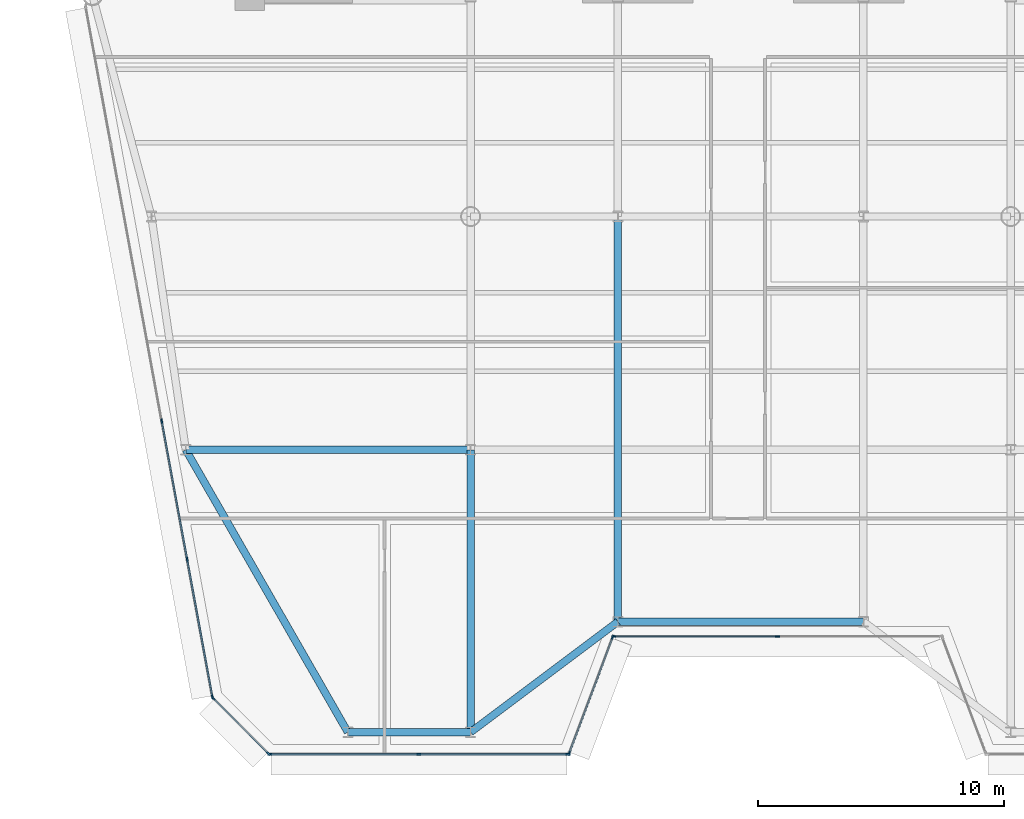
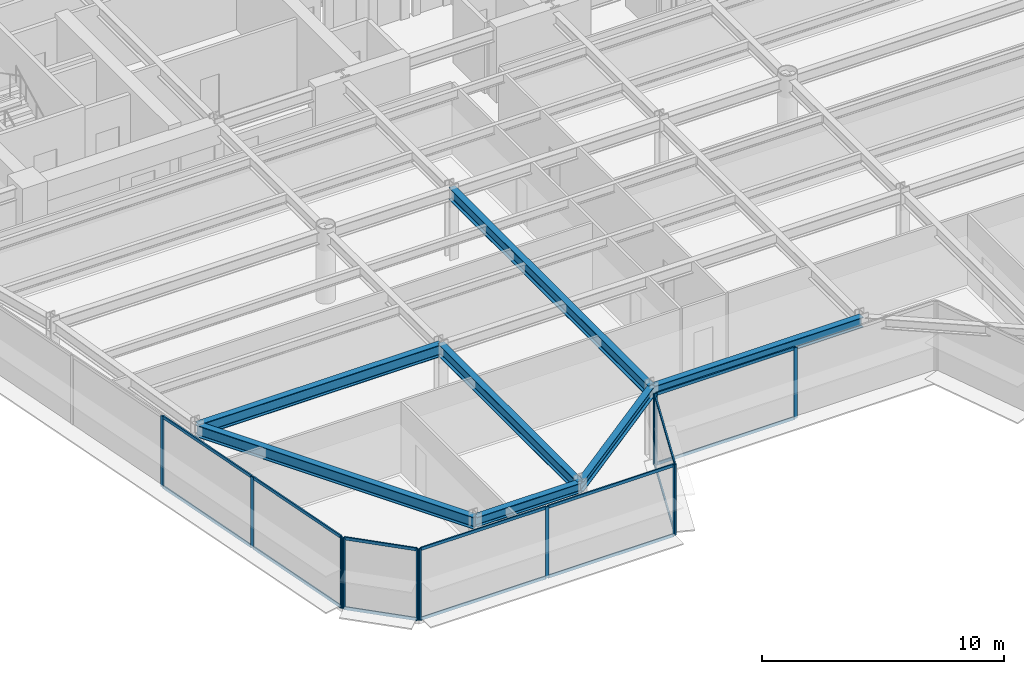
# One storey, part 2 of 16: 26 members, 7 beams, 5 elements without a shape of their own.
"""IFC4 building model written with IfcOpenShell, lengths in metres."""

from ifc_helpers import new_model, si_unit, direction, frame, origin, origin_2d, place, context, subcontext, project, spatial, rectangle, i_section, extrude, source, transform, mapped, material, layer, layer_set, material_profile, profile_set, type_object, element, aggregate, save


model = new_model("IFC4")

# Units and contexts
model_context = context("Model", 3, precision=1e-05, world=origin(), true_north=direction((0.0, 1.0)))
body_context = subcontext(model_context, "Body", "Model", "MODEL_VIEW")
ifc_project = project(units=[si_unit("LENGTHUNIT", "METRE"), si_unit("AREAUNIT", "SQUARE_METRE"), si_unit("VOLUMEUNIT", "CUBIC_METRE"), si_unit("PLANEANGLEUNIT", "RADIAN"), si_unit("MASSUNIT", "GRAM", prefix="KILO")], contexts=[model_context])

# Site, building, storey
site_placement = place(None, origin())
site = spatial("IfcSite", under=ifc_project, at=site_placement, CompositionType="ELEMENT")
building_placement = place(site_placement, origin())
building = spatial("IfcBuilding", under=site, at=building_placement, Name="Vaeldorn Concourse Tower", CompositionType="ELEMENT")
storey_placement = place(building_placement, frame((0.0, 0.0, 191.800048828125)))
storey = spatial("IfcBuildingStorey", under=building, at=storey_placement, Name="L49", CompositionType="ELEMENT", Elevation=191.800048828125)

# Beams
ifc_material_1 = material(Name="Steel S355", Category="steel")
ifc_material_profile_1 = material_profile(ifc_material_1, i_section(OverallWidth=0.300048828125, OverallDepth=0.5, WebThickness=0.014404296875, FlangeThickness=0.028076171875, FilletRadius=0.027099609375, at=origin_2d()), Name="HEB 500")
ifc_profile_set_1 = profile_set([ifc_material_profile_1], Name="Steel S355")
beam_type_1 = type_object("IfcBeamType", Name="BM-SP-HEB500", PredefinedType="SPANDREL", material=ifc_profile_set_1)
shared_shape_1 = source(origin(), body_context, "Body", "SweptSolid", [
    extrude(i_section(OverallWidth=0.300048828125, OverallDepth=0.5, WebThickness=0.014404296875, FlangeThickness=0.028076171875, FilletRadius=0.027099609375, at=origin_2d()), origin(), (0.0, 0.0, 1.0), 5.0),
])
beam_1_placement = place(storey_placement, frame((18.0, 6.5, 3.329833984375), z_axis=(1.0, 0.0, 0.0), x_axis=(0.0, 1.0, 0.0)))
element("IfcBeam", 1, at=beam_1_placement, inside=storey, type_object=beam_type_1, Name="Beam BM-L49-C-SF1-C-SF2", PredefinedType="SPANDREL", context=body_context, shape_type="MappedRepresentation", body=[
    mapped(shared_shape_1, transform((0.0, 0.0, 0.0), scale=1.0)),
])
shared_shape_2 = source(origin(), body_context, "Body", "SweptSolid", [
    extrude(i_section(OverallWidth=0.300048828125, OverallDepth=0.5, WebThickness=0.014404296875, FlangeThickness=0.028076171875, FilletRadius=0.027099609375, at=origin_2d()), origin(), (0.0, 0.0, 1.0), 7.5),
])
beam_2_placement = place(storey_placement, frame((23.0, 6.5, 3.329833984375), z_axis=(0.8, 0.6, 0.0), x_axis=(-0.6, 0.8, 0.0)))
element("IfcBeam", 2, at=beam_2_placement, inside=storey, type_object=beam_type_1, Name="Beam BM-L49-C-SF2-C-SF3", PredefinedType="SPANDREL", context=body_context, shape_type="MappedRepresentation", body=[
    mapped(shared_shape_2, transform((0.0, 0.0, 0.0), scale=1.0)),
])
shared_shape_3 = source(origin(), body_context, "Body", "SweptSolid", [
    extrude(i_section(OverallWidth=0.300048828125, OverallDepth=0.5, WebThickness=0.014404296875, FlangeThickness=0.028076171875, FilletRadius=0.027099609375, at=origin_2d()), origin(), (0.0, 0.0, 1.0), 10.0),
])
beam_3_placement = place(storey_placement, frame((29.0, 11.0, 3.329833984375), z_axis=(1.0, 0.0, 0.0), x_axis=(0.0, 1.0, 0.0)))
element("IfcBeam", 3, at=beam_3_placement, inside=storey, type_object=beam_type_1, Name="Beam BM-L49-C-SF3-C-SF4", PredefinedType="SPANDREL", context=body_context, shape_type="MappedRepresentation", body=[
    mapped(shared_shape_3, transform((0.0, 0.0, 0.0), scale=1.0)),
])
ifc_material_profile_2 = material_profile(ifc_material_1, i_section(OverallWidth=0.300048828125, OverallDepth=0.60009765625, WebThickness=0.015380859375, FlangeThickness=0.030029296875, FilletRadius=0.027099609375, at=origin_2d()), Name="HEB 600")
ifc_profile_set_2 = profile_set([ifc_material_profile_2], Name="Steel S355")
beam_type_2 = type_object("IfcBeamType", Name="BM-PG-HEB600", PredefinedType="BEAM", material=ifc_profile_set_2)
shared_shape_4 = source(origin(), body_context, "Body", "SweptSolid", [
    extrude(i_section(OverallWidth=0.300048828125, OverallDepth=0.60009765625, WebThickness=0.015380859375, FlangeThickness=0.030029296875, FilletRadius=0.027099609375, at=origin_2d()), origin(), (0.0, 0.0, 1.0), 11.60009765625),
])
beam_4_placement = place(storey_placement, frame((11.39990234375, 18.0, 3.280029296875), z_axis=(1.0, 0.0, 0.0), x_axis=(0.0, 1.0, 0.0)))
element("IfcBeam", 4, at=beam_4_placement, inside=storey, type_object=beam_type_2, Name="Beam BM-L49-C-FLW2-C-TW5", PredefinedType="BEAM", context=body_context, shape_type="MappedRepresentation", body=[
    mapped(shared_shape_4, transform((0.0, 0.0, 0.0), scale=1.0)),
])
shared_shape_5 = source(origin(), body_context, "Body", "SweptSolid", [
    extrude(i_section(OverallWidth=0.300048828125, OverallDepth=0.60009765625, WebThickness=0.015380859375, FlangeThickness=0.030029296875, FilletRadius=0.027099609375, at=origin_2d()), origin(), (0.0, 0.0, 1.0), 13.25927734375),
])
beam_5_placement = place(storey_placement, frame((18.0, 6.5, 3.280029296875), z_axis=(-0.497768009943, 0.867310214558, 0.0), x_axis=(-0.867310214558, -0.497768009943, 0.0)))
element("IfcBeam", 5, at=beam_5_placement, inside=storey, type_object=beam_type_2, Name="Beam BM-L49-C-SF1-C-FLW2", PredefinedType="BEAM", context=body_context, shape_type="MappedRepresentation", body=[
    mapped(shared_shape_5, transform((0.0, 0.0, 0.0), scale=1.0)),
])
shared_shape_6 = source(origin(), body_context, "Body", "SweptSolid", [
    extrude(i_section(OverallWidth=0.300048828125, OverallDepth=0.60009765625, WebThickness=0.015380859375, FlangeThickness=0.030029296875, FilletRadius=0.027099609375, at=origin_2d()), origin(), (0.0, 0.0, 1.0), 11.5),
])
beam_6_placement = place(storey_placement, frame((23.0, 6.5, 3.280029296875), z_axis=(0.0, 1.0, 0.0), x_axis=(-1.0, 0.0, 0.0)))
element("IfcBeam", 6, at=beam_6_placement, inside=storey, type_object=beam_type_2, Name="Beam BM-L49-C-SF2-C-TW5", PredefinedType="BEAM", context=body_context, shape_type="MappedRepresentation", body=[
    mapped(shared_shape_6, transform((0.0, 0.0, 0.0), scale=1.0)),
])
shared_shape_7 = source(origin(), body_context, "Body", "SweptSolid", [
    extrude(i_section(OverallWidth=0.300048828125, OverallDepth=0.60009765625, WebThickness=0.015380859375, FlangeThickness=0.030029296875, FilletRadius=0.027099609375, at=origin_2d()), origin(), (0.0, 0.0, 1.0), 16.5),
])
beam_7_placement = place(storey_placement, frame((29.0, 11.0, 3.280029296875), z_axis=(0.0, 1.0, 0.0), x_axis=(-1.0, 0.0, 0.0)))
element("IfcBeam", 7, at=beam_7_placement, inside=storey, type_object=beam_type_2, Name="Beam BM-L49-C-SF3-C-TW2", PredefinedType="BEAM", context=body_context, shape_type="MappedRepresentation", body=[
    mapped(shared_shape_7, transform((0.0, 0.0, 0.0), scale=1.0)),
])

# Curtain wall, members
ifc_material_2 = material(Name="Anodised Bronze Aluminium", Category="aluminium")
ifc_layer = layer(ifc_material_2, 0.18994140625)
ifc_layer_set = layer_set([ifc_layer], Name="Anodised Bronze Aluminium")
curtain_wall_type = type_object("IfcCurtainWallType", Name="CW-SYS-03", PredefinedType="NOTDEFINED", material=ifc_layer_set)
curtain_wall_1_placement = place(storey_placement, origin())
curtain_wall_1 = element("IfcCurtainWall", 8, at=curtain_wall_1_placement, inside=storey, type_object=curtain_wall_type, Name="Unitised Curtain Wall CW-L49-E01-1", PredefinedType="NOTDEFINED")
ifc_material_profile_3 = material_profile(ifc_material_2, rectangle(XDim=0.06494140625, YDim=0.169921875, at=origin_2d()), Name="CWM 65x170")
ifc_profile_set_3 = profile_set([ifc_material_profile_3], Name="Anodised Bronze Aluminium")
member_type_1 = type_object("IfcMemberType", Name="CWM-BRONZE-170", PredefinedType="MULLION", material=ifc_profile_set_3)
shared_shape_8 = source(origin(), body_context, "Body", "SweptSolid", [
    extrude(rectangle(XDim=0.06494140625, YDim=0.169921875, at=origin_2d()), origin(), (0.0, 0.0, 1.0), 3.579833984375),
])
member_1_placement = place(storey_placement, frame((14.823486328125, 5.60009765625, 0.0), z_axis=(0.0, 0.0, 1.0), x_axis=(0.0, 1.0, 0.0)))
member_1 = element("IfcMember", 9, at=member_1_placement, type_object=member_type_1, Name="CW-03 mullion 1", PredefinedType="MULLION", context=body_context, shape_type="MappedRepresentation", body=[
    mapped(shared_shape_8, transform((0.0, 0.0, 0.0), scale=1.0)),
])
member_2_placement = place(storey_placement, frame((20.8955078125, 5.60009765625, 0.0), z_axis=(0.0, 0.0, 1.0), x_axis=(0.0, 1.0, 0.0)))
member_2 = element("IfcMember", 10, at=member_2_placement, type_object=member_type_1, Name="CW-03 mullion 2", PredefinedType="MULLION", context=body_context, shape_type="MappedRepresentation", body=[
    mapped(shared_shape_8, transform((0.0, 0.0, 0.0), scale=1.0)),
])
member_3_placement = place(storey_placement, frame((26.967529296875, 5.60009765625, 0.0), z_axis=(0.0, 0.0, 1.0), x_axis=(0.0, 1.0, 0.0)))
member_3 = element("IfcMember", 11, at=member_3_placement, type_object=member_type_1, Name="CW-03 mullion 3", PredefinedType="MULLION", context=body_context, shape_type="MappedRepresentation", body=[
    mapped(shared_shape_8, transform((0.0, 0.0, 0.0), scale=1.0)),
])

curtain_wall_2_placement = place(storey_placement, origin())
curtain_wall_2 = element("IfcCurtainWall", 12, at=curtain_wall_2_placement, inside=storey, type_object=curtain_wall_type, Name="Unitised Curtain Wall CW-L49-E02-1", PredefinedType="NOTDEFINED")
member_4_placement = place(storey_placement, frame((27.011474609375, 5.63037109375, 0.0), z_axis=(0.0, 0.0, 1.0), x_axis=(-0.936329177566, 0.351123441595, 0.0)))
member_4 = element("IfcMember", 13, at=member_4_placement, type_object=member_type_1, Name="CW-03 mullion 1", PredefinedType="MULLION", context=body_context, shape_type="MappedRepresentation", body=[
    mapped(shared_shape_8, transform((0.0, 0.0, 0.0), scale=1.0)),
])
member_5_placement = place(storey_placement, frame((28.78857421875, 10.36962890625, 0.0), z_axis=(0.0, 0.0, 1.0), x_axis=(-0.936329177566, 0.351123441595, 0.0)))
member_5 = element("IfcMember", 14, at=member_5_placement, type_object=member_type_1, Name="CW-03 mullion 2", PredefinedType="MULLION", context=body_context, shape_type="MappedRepresentation", body=[
    mapped(shared_shape_8, transform((0.0, 0.0, 0.0), scale=1.0)),
])

curtain_wall_3_placement = place(storey_placement, origin())
curtain_wall_3 = element("IfcCurtainWall", 15, at=curtain_wall_3_placement, inside=storey, type_object=curtain_wall_type, Name="Unitised Curtain Wall CW-L49-E03-1", PredefinedType="NOTDEFINED")
member_6_placement = place(storey_placement, frame((28.83251953125, 10.39990234375, 0.0), z_axis=(0.0, 0.0, 1.0), x_axis=(0.0, 1.0, 0.0)))
member_6 = element("IfcMember", 16, at=member_6_placement, type_object=member_type_1, Name="CW-03 mullion 1", PredefinedType="MULLION", context=body_context, shape_type="MappedRepresentation", body=[
    mapped(shared_shape_8, transform((0.0, 0.0, 0.0), scale=1.0)),
])
member_7_placement = place(storey_placement, frame((35.5, 10.39990234375, 0.0), z_axis=(0.0, 0.0, 1.0), x_axis=(0.0, 1.0, 0.0)))
member_7 = element("IfcMember", 17, at=member_7_placement, type_object=member_type_1, Name="CW-03 mullion 2", PredefinedType="MULLION", context=body_context, shape_type="MappedRepresentation", body=[
    mapped(shared_shape_8, transform((0.0, 0.0, 0.0), scale=1.0)),
])

curtain_wall_4_placement = place(storey_placement, origin())
curtain_wall_4 = element("IfcCurtainWall", 18, at=curtain_wall_4_placement, inside=storey, type_object=curtain_wall_type, Name="Unitised Curtain Wall CW-L49-E11-2", PredefinedType="NOTDEFINED")
member_8_placement = place(storey_placement, frame((10.421142578125, 19.17333984375, 0.0), z_axis=(0.0, 0.0, 1.0), x_axis=(0.983559325018, 0.180585309951, 0.0)))
member_8 = element("IfcMember", 19, at=member_8_placement, type_object=member_type_1, Name="CW-03 mullion 4", PredefinedType="MULLION", context=body_context, shape_type="MappedRepresentation", body=[
    mapped(shared_shape_8, transform((0.0, 0.0, 0.0), scale=1.0)),
])
member_9_placement = place(storey_placement, frame((11.4560546875, 13.53662109375, 0.0), z_axis=(0.0, 0.0, 1.0), x_axis=(0.983559325018, 0.180585309951, 0.0)))
member_9 = element("IfcMember", 20, at=member_9_placement, type_object=member_type_1, Name="CW-03 mullion 5", PredefinedType="MULLION", context=body_context, shape_type="MappedRepresentation", body=[
    mapped(shared_shape_8, transform((0.0, 0.0, 0.0), scale=1.0)),
])
member_10_placement = place(storey_placement, frame((12.485107421875, 7.931884765625, 0.0), z_axis=(0.0, 0.0, 1.0), x_axis=(0.983559325018, 0.180585309951, 0.0)))
member_10 = element("IfcMember", 21, at=member_10_placement, type_object=member_type_1, Name="CW-03 mullion 6", PredefinedType="MULLION", context=body_context, shape_type="MappedRepresentation", body=[
    mapped(shared_shape_8, transform((0.0, 0.0, 0.0), scale=1.0)),
])

curtain_wall_5_placement = place(storey_placement, origin())
curtain_wall_5 = element("IfcCurtainWall", 22, at=curtain_wall_5_placement, inside=storey, type_object=curtain_wall_type, Name="Unitised Curtain Wall CW-L49-E12-1", PredefinedType="NOTDEFINED")
member_11_placement = place(storey_placement, frame((12.513916015625, 7.876953125, 0.0), z_axis=(0.0, 0.0, 1.0), x_axis=(0.707106781187, 0.707106781187, 0.0)))
member_11 = element("IfcMember", 23, at=member_11_placement, type_object=member_type_1, Name="CW-03 mullion 1", PredefinedType="MULLION", context=body_context, shape_type="MappedRepresentation", body=[
    mapped(shared_shape_8, transform((0.0, 0.0, 0.0), scale=1.0)),
])
member_12_placement = place(storey_placement, frame((14.76806640625, 5.623046875, 0.0), z_axis=(0.0, 0.0, 1.0), x_axis=(0.707106781187, 0.707106781187, 0.0)))
member_12 = element("IfcMember", 24, at=member_12_placement, type_object=member_type_1, Name="CW-03 mullion 2", PredefinedType="MULLION", context=body_context, shape_type="MappedRepresentation", body=[
    mapped(shared_shape_8, transform((0.0, 0.0, 0.0), scale=1.0)),
])

# Member
ifc_material_profile_4 = material_profile(ifc_material_2, rectangle(XDim=0.06494140625, YDim=0.14990234375, at=origin_2d()), Name="CWT 65x150")
ifc_profile_set_4 = profile_set([ifc_material_profile_4], Name="Anodised Bronze Aluminium")
member_type_2 = type_object("IfcMemberType", Name="CWT-BRONZE-150", PredefinedType="USERDEFINED", material=ifc_profile_set_4)
shared_shape_9 = source(origin(), body_context, "Body", "SweptSolid", [
    extrude(rectangle(XDim=0.06494140625, YDim=0.14990234375, at=origin_2d()), origin(), (0.0, 0.0, 1.0), 4.996337890625),
])
member_13_placement = place(storey_placement, frame((27.022705078125, 5.660888671875, 0.032470703125), z_axis=(0.351134151405, 0.936325161318, 0.0), x_axis=(-0.936325161318, 0.351134151405, 0.0)))
member_13 = element("IfcMember", 25, at=member_13_placement, type_object=member_type_2, Name="CW-03 transom 1.1", ObjectType="TRANSOM", PredefinedType="USERDEFINED", context=body_context, shape_type="MappedRepresentation", body=[
    mapped(shared_shape_9, transform((0.0, 0.0, 0.0), scale=1.0)),
])

member_14_placement = place(storey_placement, frame((27.022705078125, 5.660888671875, 3.54736328125), z_axis=(0.351134151405, 0.936325161318, 0.0), x_axis=(-0.936325161318, 0.351134151405, 0.0)))
member_14 = element("IfcMember", 26, at=member_14_placement, type_object=member_type_2, Name="CW-03 transom 1.2", ObjectType="TRANSOM", PredefinedType="USERDEFINED", context=body_context, shape_type="MappedRepresentation", body=[
    mapped(shared_shape_9, transform((0.0, 0.0, 0.0), scale=1.0)),
])

aggregate(curtain_wall_2, [member_4, member_5, member_13, member_14])

shared_shape_10 = source(origin(), body_context, "Body", "SweptSolid", [
    extrude(rectangle(XDim=0.06494140625, YDim=0.14990234375, at=origin_2d()), origin(), (0.0, 0.0, 1.0), 6.6025390625),
])
member_15_placement = place(storey_placement, frame((28.864990234375, 10.39990234375, 0.032470703125), z_axis=(1.0, 0.0, 0.0), x_axis=(0.0, 1.0, 0.0)))
member_15 = element("IfcMember", 27, at=member_15_placement, type_object=member_type_2, Name="CW-03 transom 1.1", ObjectType="TRANSOM", PredefinedType="USERDEFINED", context=body_context, shape_type="MappedRepresentation", body=[
    mapped(shared_shape_10, transform((0.0, 0.0, 0.0), scale=1.0)),
])

member_16_placement = place(storey_placement, frame((28.864990234375, 10.39990234375, 3.54736328125), z_axis=(1.0, 0.0, 0.0), x_axis=(0.0, 1.0, 0.0)))
member_16 = element("IfcMember", 28, at=member_16_placement, type_object=member_type_2, Name="CW-03 transom 1.2", ObjectType="TRANSOM", PredefinedType="USERDEFINED", context=body_context, shape_type="MappedRepresentation", body=[
    mapped(shared_shape_10, transform((0.0, 0.0, 0.0), scale=1.0)),
])

aggregate(curtain_wall_3, [member_6, member_7, member_15, member_16])

shared_shape_11 = source(origin(), body_context, "Body", "SweptSolid", [
    extrude(rectangle(XDim=0.06494140625, YDim=0.14990234375, at=origin_2d()), origin(), (0.0, 0.0, 1.0), 3.122802734375),
])
member_17_placement = place(storey_placement, frame((12.536865234375, 7.85400390625, 0.032470703125), z_axis=(0.707145870536, -0.707067689676, 0.0), x_axis=(0.707067689676, 0.707145870536, 0.0)))
member_17 = element("IfcMember", 29, at=member_17_placement, type_object=member_type_2, Name="CW-03 transom 1.1", ObjectType="TRANSOM", PredefinedType="USERDEFINED", context=body_context, shape_type="MappedRepresentation", body=[
    mapped(shared_shape_11, transform((0.0, 0.0, 0.0), scale=1.0)),
])

member_18_placement = place(storey_placement, frame((12.536865234375, 7.85400390625, 3.54736328125), z_axis=(0.707145870536, -0.707067689676, 0.0), x_axis=(0.707067689676, 0.707145870536, 0.0)))
member_18 = element("IfcMember", 30, at=member_18_placement, type_object=member_type_2, Name="CW-03 transom 1.2", ObjectType="TRANSOM", PredefinedType="USERDEFINED", context=body_context, shape_type="MappedRepresentation", body=[
    mapped(shared_shape_11, transform((0.0, 0.0, 0.0), scale=1.0)),
])

aggregate(curtain_wall_5, [member_11, member_12, member_17, member_18])

shared_shape_12 = source(origin(), body_context, "Body", "SweptSolid", [
    extrude(rectangle(XDim=0.06494140625, YDim=0.14990234375, at=origin_2d()), origin(), (0.0, 0.0, 1.0), 5.63330078125),
])
member_19_placement = place(storey_placement, frame((11.4619140625, 13.504638671875, 0.032470703125), z_axis=(0.180589917692, -0.983558479008, 0.0), x_axis=(0.983558479008, 0.180589917692, 0.0)))
member_19 = element("IfcMember", 31, at=member_19_placement, type_object=member_type_2, Name="CW-03 transom 5.1", ObjectType="TRANSOM", PredefinedType="USERDEFINED", context=body_context, shape_type="MappedRepresentation", body=[
    mapped(shared_shape_12, transform((0.0, 0.0, 0.0), scale=1.0)),
])

member_20_placement = place(storey_placement, frame((11.4619140625, 13.504638671875, 3.54736328125), z_axis=(0.180589917692, -0.983558479008, 0.0), x_axis=(0.983558479008, 0.180589917692, 0.0)))
member_20 = element("IfcMember", 32, at=member_20_placement, type_object=member_type_2, Name="CW-03 transom 5.2", ObjectType="TRANSOM", PredefinedType="USERDEFINED", context=body_context, shape_type="MappedRepresentation", body=[
    mapped(shared_shape_12, transform((0.0, 0.0, 0.0), scale=1.0)),
])

shared_shape_13 = source(origin(), body_context, "Body", "SweptSolid", [
    extrude(rectangle(XDim=0.06494140625, YDim=0.14990234375, at=origin_2d()), origin(), (0.0, 0.0, 1.0), 5.666015625),
])
member_21_placement = place(storey_placement, frame((10.427001953125, 19.141357421875, 0.032470703125), z_axis=(0.180587719149, -0.983558882677, 0.0), x_axis=(0.983558882677, 0.180587719149, 0.0)))
member_21 = element("IfcMember", 33, at=member_21_placement, type_object=member_type_2, Name="CW-03 transom 4.1", ObjectType="TRANSOM", PredefinedType="USERDEFINED", context=body_context, shape_type="MappedRepresentation", body=[
    mapped(shared_shape_13, transform((0.0, 0.0, 0.0), scale=1.0)),
])

member_22_placement = place(storey_placement, frame((10.427001953125, 19.141357421875, 3.54736328125), z_axis=(0.180587719149, -0.983558882677, 0.0), x_axis=(0.983558882677, 0.180587719149, 0.0)))
member_22 = element("IfcMember", 34, at=member_22_placement, type_object=member_type_2, Name="CW-03 transom 4.2", ObjectType="TRANSOM", PredefinedType="USERDEFINED", context=body_context, shape_type="MappedRepresentation", body=[
    mapped(shared_shape_13, transform((0.0, 0.0, 0.0), scale=1.0)),
])

aggregate(curtain_wall_4, [member_8, member_9, member_10, member_21, member_22, member_19, member_20])

shared_shape_14 = source(origin(), body_context, "Body", "SweptSolid", [
    extrude(rectangle(XDim=0.06494140625, YDim=0.14990234375, at=origin_2d()), origin(), (0.0, 0.0, 1.0), 6.007080078125),
])
member_23_placement = place(storey_placement, frame((14.85595703125, 5.60009765625, 0.032470703125), z_axis=(1.0, 0.0, 0.0), x_axis=(0.0, 1.0, 0.0)))
member_23 = element("IfcMember", 35, at=member_23_placement, type_object=member_type_2, Name="CW-03 transom 1.1", ObjectType="TRANSOM", PredefinedType="USERDEFINED", context=body_context, shape_type="MappedRepresentation", body=[
    mapped(shared_shape_14, transform((0.0, 0.0, 0.0), scale=1.0)),
])

member_24_placement = place(storey_placement, frame((14.85595703125, 5.60009765625, 3.54736328125), z_axis=(1.0, 0.0, 0.0), x_axis=(0.0, 1.0, 0.0)))
member_24 = element("IfcMember", 36, at=member_24_placement, type_object=member_type_2, Name="CW-03 transom 1.2", ObjectType="TRANSOM", PredefinedType="USERDEFINED", context=body_context, shape_type="MappedRepresentation", body=[
    mapped(shared_shape_14, transform((0.0, 0.0, 0.0), scale=1.0)),
])

member_25_placement = place(storey_placement, frame((20.927978515625, 5.60009765625, 0.032470703125), z_axis=(1.0, 0.0, 0.0), x_axis=(0.0, 1.0, 0.0)))
member_25 = element("IfcMember", 37, at=member_25_placement, type_object=member_type_2, Name="CW-03 transom 2.1", ObjectType="TRANSOM", PredefinedType="USERDEFINED", context=body_context, shape_type="MappedRepresentation", body=[
    mapped(shared_shape_14, transform((0.0, 0.0, 0.0), scale=1.0)),
])

member_26_placement = place(storey_placement, frame((20.927978515625, 5.60009765625, 3.54736328125), z_axis=(1.0, 0.0, 0.0), x_axis=(0.0, 1.0, 0.0)))
member_26 = element("IfcMember", 38, at=member_26_placement, type_object=member_type_2, Name="CW-03 transom 2.2", ObjectType="TRANSOM", PredefinedType="USERDEFINED", context=body_context, shape_type="MappedRepresentation", body=[
    mapped(shared_shape_14, transform((0.0, 0.0, 0.0), scale=1.0)),
])

aggregate(curtain_wall_1, [member_1, member_2, member_3, member_23, member_24, member_25, member_26])

save(model, "model.ifc")
